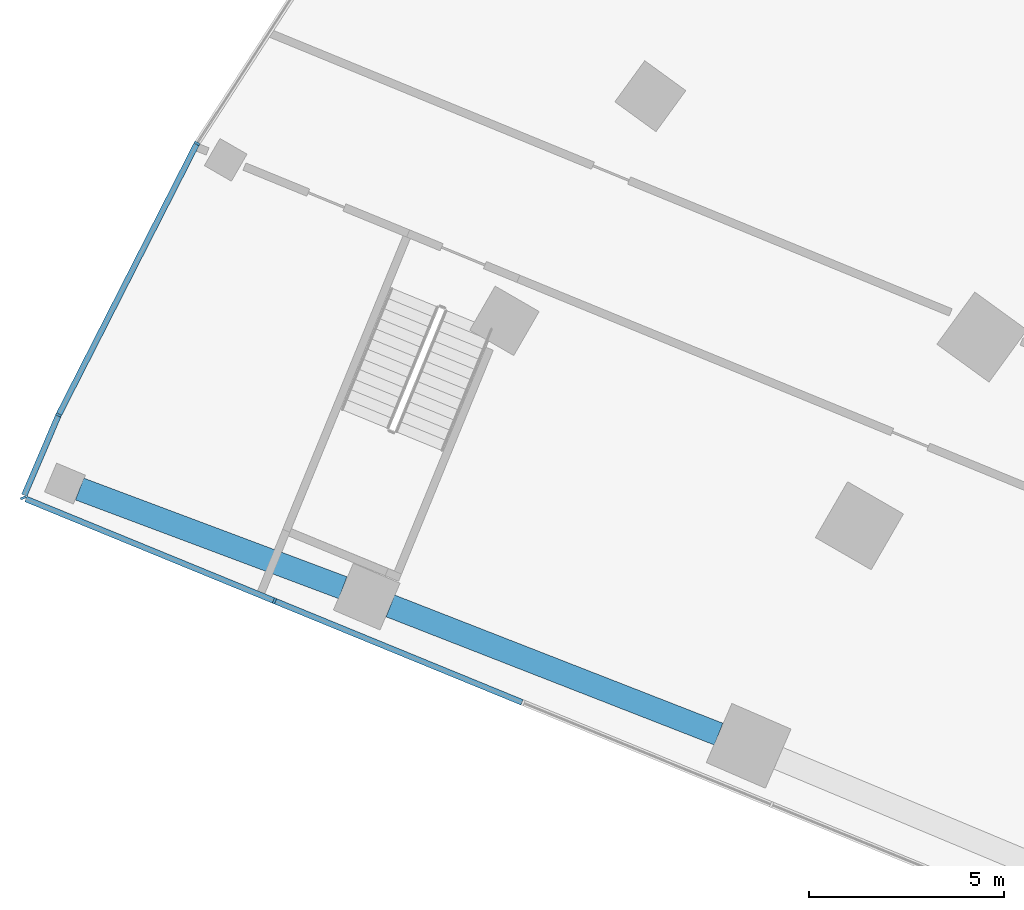
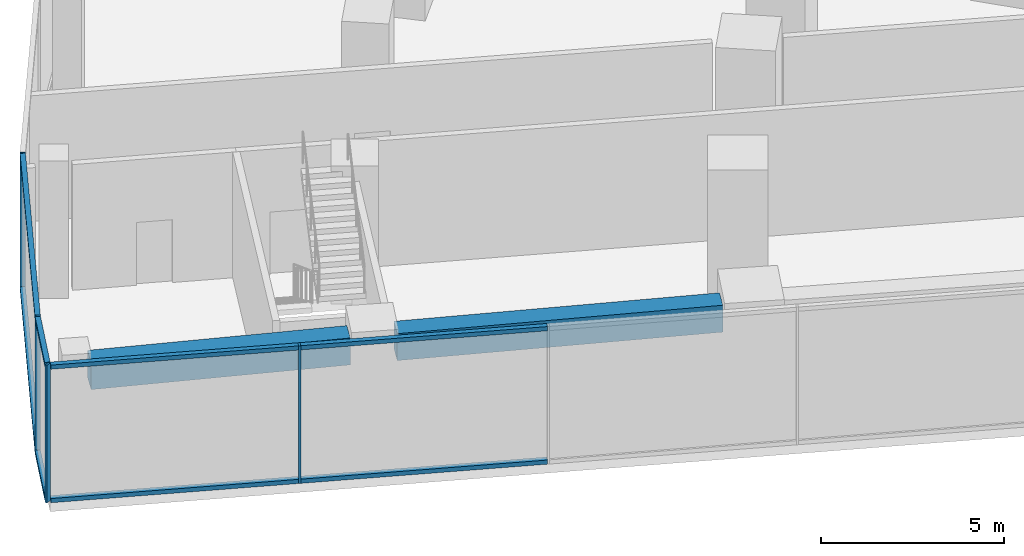
# One storey, part 3 of 40: 12 members, 2 beams, 2 elements without a shape of their own.
"""IFC4 building model written with IfcOpenShell, lengths in metres."""

from ifc_helpers import new_model, si_unit, direction, frame, origin, origin_2d, place, context, subcontext, project, spatial, rectangle, extrude, material, layer, layer_set, material_profile, profile_set, type_object, element, aggregate, save


model = new_model("IFC4")

# Units and contexts
model_context = context("Model", 3, precision=1e-05, world=origin(), true_north=direction((0.0, 1.0)))
body_context = subcontext(model_context, "Body", "Model", "MODEL_VIEW")
ifc_project = project(units=[si_unit("LENGTHUNIT", "METRE"), si_unit("AREAUNIT", "SQUARE_METRE"), si_unit("VOLUMEUNIT", "CUBIC_METRE"), si_unit("PLANEANGLEUNIT", "RADIAN"), si_unit("MASSUNIT", "GRAM", prefix="KILO")], contexts=[model_context])

# Site, building, storey
site_placement = place(None, origin())
site = spatial("IfcSite", under=ifc_project, at=site_placement, CompositionType="ELEMENT")
building_placement = place(site_placement, origin())
building = spatial("IfcBuilding", under=site, at=building_placement, Name="Stone Belt Terrace Tower", CompositionType="ELEMENT")
storey_placement = place(building_placement, frame((0.0, 0.0, 7.0)))
storey = spatial("IfcBuildingStorey", under=building, at=storey_placement, Name="L01", CompositionType="ELEMENT", Elevation=7.0)

# Curtain wall, members
ifc_material_1 = material(Name="Aluminium 6063-T6 anodised frame", Category="aluminium")
ifc_layer = layer(ifc_material_1, 0.14990234375)
ifc_layer_set = layer_set([ifc_layer], Name="CW-D podium shopfront")
curtain_wall_type = type_object("IfcCurtainWallType", Name="CW-D podium shopfront", PredefinedType="NOTDEFINED", material=ifc_layer_set)
curtain_wall_1_placement = place(storey_placement, origin())
curtain_wall_1 = element("IfcCurtainWall", 1, at=curtain_wall_1_placement, inside=storey, type_object=curtain_wall_type, Name="CW-D convex face L01", PredefinedType="NOTDEFINED")
ifc_material_profile_1 = material_profile(ifc_material_1, rectangle(XDim=0.14990234375, YDim=0.06005859375, at=origin_2d()), Name="Aluminium 6063-T6 60x150")
ifc_profile_set_1 = profile_set([ifc_material_profile_1], Name="Aluminium 6063-T6 anodised frame")
member_type_1 = type_object("IfcMemberType", Name="CW-D mullion 60 x 150", PredefinedType="MULLION", material=ifc_profile_set_1)
member_1_placement = place(storey_placement, frame((-64.583984375, 37.28759765625, 0.0), z_axis=(0.0, 0.0, 1.0), x_axis=(0.866025403784, -0.5, 0.0)))
member_1 = element("IfcMember", 2, at=member_1_placement, type_object=member_type_1, Name="CW-D mullion 23", PredefinedType="MULLION", context=body_context, shape_type="SweptSolid", body=[
    extrude(rectangle(XDim=0.14990234375, YDim=0.06005859375, at=origin_2d()), origin(), (0.0, 0.0, 1.0), 4.60009765625),
])
member_2_placement = place(storey_placement, frame((-68.127197265625, 30.333740234375, 0.0), z_axis=(0.0, 0.0, 1.0), x_axis=(0.905778201442, -0.423752108895, 0.0)))
member_2 = element("IfcMember", 3, at=member_2_placement, type_object=member_type_1, Name="CW-D mullion 24", PredefinedType="MULLION", context=body_context, shape_type="SweptSolid", body=[
    extrude(rectangle(XDim=0.14990234375, YDim=0.06005859375, at=origin_2d()), origin(), (0.0, 0.0, 1.0), 4.60009765625),
])

curtain_wall_2_placement = place(storey_placement, origin())
curtain_wall_2 = element("IfcCurtainWall", 4, at=curtain_wall_2_placement, inside=storey, type_object=curtain_wall_type, Name="CW-D end face L01", PredefinedType="NOTDEFINED")
member_3_placement = place(storey_placement, frame((-69.033447265625, 28.213134765625, 0.0), z_axis=(0.0, 0.0, 1.0), x_axis=(0.925309719849, 0.379212239192, 0.0)))
member_3 = element("IfcMember", 5, at=member_3_placement, type_object=member_type_1, Name="CW-D mullion 1", PredefinedType="MULLION", context=body_context, shape_type="SweptSolid", body=[
    extrude(rectangle(XDim=0.14990234375, YDim=0.06005859375, at=origin_2d()), origin(), (0.0, 0.0, 1.0), 4.60009765625),
])
member_4_placement = place(storey_placement, frame((-62.6015625, 25.576904296875, 0.0), z_axis=(0.0, 0.0, 1.0), x_axis=(0.379243093825, 0.925297074342, 0.0)))
member_4 = element("IfcMember", 6, at=member_4_placement, type_object=member_type_1, Name="CW-D mullion 2", PredefinedType="MULLION", context=body_context, shape_type="SweptSolid", body=[
    extrude(rectangle(XDim=0.14990234375, YDim=0.06005859375, at=origin_2d()), origin(), (0.0, 0.0, 1.0), 4.60009765625),
])

# Member
ifc_material_profile_2 = material_profile(ifc_material_1, rectangle(XDim=0.14990234375, YDim=0.139892578125, at=origin_2d()), Name="Aluminium 6063-T6 150x140")
ifc_profile_set_2 = profile_set([ifc_material_profile_2], Name="Aluminium 6063-T6 anodised frame")
member_type_2 = type_object("IfcMemberType", Name="CW-D transom 140 x 150", PredefinedType="USERDEFINED", material=ifc_profile_set_2)
member_5_placement = place(storey_placement, frame((-64.599365234375, 37.25732421875, 0.070068359375), z_axis=(-0.453977770034, -0.891013010183, 0.0), x_axis=(0.891013010183, -0.453977770034, 0.0)))
member_5 = element("IfcMember", 7, at=member_5_placement, type_object=member_type_2, Name="CW-D transom 23.1", ObjectType="TRANSOM", PredefinedType="USERDEFINED", context=body_context, shape_type="SweptSolid", body=[
    extrude(rectangle(XDim=0.14990234375, YDim=0.139892578125, at=origin_2d()), origin(), (0.0, 0.0, 1.0), 7.738037109375),
])

member_6_placement = place(storey_placement, frame((-64.599365234375, 37.25732421875, 4.530029296875), z_axis=(-0.453977770034, -0.891013010183, 0.0), x_axis=(0.891013010183, -0.453977770034, 0.0)))
member_6 = element("IfcMember", 8, at=member_6_placement, type_object=member_type_2, Name="CW-D transom 23.2", ObjectType="TRANSOM", PredefinedType="USERDEFINED", context=body_context, shape_type="SweptSolid", body=[
    extrude(rectangle(XDim=0.14990234375, YDim=0.139892578125, at=origin_2d()), origin(), (0.0, 0.0, 1.0), 7.738037109375),
])

member_7_placement = place(storey_placement, frame((-68.139892578125, 30.3037109375, 0.070068359375), z_axis=(-0.39299460879, -0.919540775312, 0.0), x_axis=(0.919540775312, -0.39299460879, 0.0)))
member_7 = element("IfcMember", 9, at=member_7_placement, type_object=member_type_2, Name="CW-D transom 24.1", ObjectType="TRANSOM", PredefinedType="USERDEFINED", context=body_context, shape_type="SweptSolid", body=[
    extrude(rectangle(XDim=0.14990234375, YDim=0.139892578125, at=origin_2d()), origin(), (0.0, 0.0, 1.0), 2.19921875),
])

member_8_placement = place(storey_placement, frame((-68.139892578125, 30.3037109375, 4.530029296875), z_axis=(-0.39299460879, -0.919540775312, 0.0), x_axis=(0.919540775312, -0.39299460879, 0.0)))
member_8 = element("IfcMember", 10, at=member_8_placement, type_object=member_type_2, Name="CW-D transom 24.2", ObjectType="TRANSOM", PredefinedType="USERDEFINED", context=body_context, shape_type="SweptSolid", body=[
    extrude(rectangle(XDim=0.14990234375, YDim=0.139892578125, at=origin_2d()), origin(), (0.0, 0.0, 1.0), 2.19921875),
])

aggregate(curtain_wall_1, [member_1, member_2, member_5, member_6, member_7, member_8])

member_9_placement = place(storey_placement, frame((-68.964599609375, 28.184814453125, 0.070068359375), z_axis=(0.92530308742, -0.379228422472, 0.0), x_axis=(0.379228422472, 0.92530308742, 0.0)))
member_9 = element("IfcMember", 11, at=member_9_placement, type_object=member_type_2, Name="CW-D transom 1.1", ObjectType="TRANSOM", PredefinedType="USERDEFINED", context=body_context, shape_type="SweptSolid", body=[
    extrude(rectangle(XDim=0.14990234375, YDim=0.139892578125, at=origin_2d()), origin(), (0.0, 0.0, 1.0), 6.8466796875),
])

member_10_placement = place(storey_placement, frame((-68.964599609375, 28.184814453125, 4.530029296875), z_axis=(0.92530308742, -0.379228422472, 0.0), x_axis=(0.379228422472, 0.92530308742, 0.0)))
member_10 = element("IfcMember", 12, at=member_10_placement, type_object=member_type_2, Name="CW-D transom 1.2", ObjectType="TRANSOM", PredefinedType="USERDEFINED", context=body_context, shape_type="SweptSolid", body=[
    extrude(rectangle(XDim=0.14990234375, YDim=0.139892578125, at=origin_2d()), origin(), (0.0, 0.0, 1.0), 6.8466796875),
])

member_11_placement = place(storey_placement, frame((-62.573974609375, 25.5654296875, 0.070068359375), z_axis=(0.925300811022, -0.37923397675, 0.0), x_axis=(0.37923397675, 0.925300811022, 0.0)))
member_11 = element("IfcMember", 13, at=member_11_placement, type_object=member_type_2, Name="CW-D transom 2.1", ObjectType="TRANSOM", PredefinedType="USERDEFINED", context=body_context, shape_type="SweptSolid", body=[
    extrude(rectangle(XDim=0.14990234375, YDim=0.139892578125, at=origin_2d()), origin(), (0.0, 0.0, 1.0), 6.81494140625),
])

member_12_placement = place(storey_placement, frame((-62.573974609375, 25.5654296875, 4.530029296875), z_axis=(0.925300811022, -0.37923397675, 0.0), x_axis=(0.37923397675, 0.925300811022, 0.0)))
member_12 = element("IfcMember", 14, at=member_12_placement, type_object=member_type_2, Name="CW-D transom 2.2", ObjectType="TRANSOM", PredefinedType="USERDEFINED", context=body_context, shape_type="SweptSolid", body=[
    extrude(rectangle(XDim=0.14990234375, YDim=0.139892578125, at=origin_2d()), origin(), (0.0, 0.0, 1.0), 6.81494140625),
])

aggregate(curtain_wall_2, [member_3, member_4, member_9, member_10, member_11, member_12])

# Beams
ifc_material_2 = material(Name="Concrete B60", Category="concrete")
ifc_material_profile_3 = material_profile(ifc_material_2, rectangle(XDim=0.60009765625, YDim=0.89990234375, at=origin_2d()), Name="RC 600x900")
ifc_profile_set_3 = profile_set([ifc_material_profile_3], Name="Concrete B60")
beam_type = type_object("IfcBeamType", Name="Edge beam RC 600x900 B60", PredefinedType="SPANDREL", material=ifc_profile_set_3)
beam_1_placement = place(storey_placement, frame((-51.235107421875, 22.167724609375, 3.75), z_axis=(-0.931488596429, 0.363770524813, 0.0), x_axis=(-0.363770524813, -0.931488596429, 0.0)))
element("IfcBeam", 15, at=beam_1_placement, inside=storey, type_object=beam_type, Name="Edge beam L01 A Q to R", PredefinedType="SPANDREL", context=body_context, shape_type="SweptSolid", body=[
    extrude(rectangle(XDim=0.60009765625, YDim=0.89990234375, at=origin_2d()), origin(), (0.0, 0.0, 1.0), 9.018798828125),
])
beam_2_placement = place(storey_placement, frame((-60.85107421875, 25.913330078125, 3.75), z_axis=(-0.936357063025, 0.351049071389, 0.0), x_axis=(-0.351049071389, -0.936357063025, 0.0)))
element("IfcBeam", 16, at=beam_2_placement, inside=storey, type_object=beam_type, Name="Edge beam L01 A R to S", PredefinedType="SPANDREL", context=body_context, shape_type="SweptSolid", body=[
    extrude(rectangle(XDim=0.60009765625, YDim=0.89990234375, at=origin_2d()), origin(), (0.0, 0.0, 1.0), 7.1953125),
])

save(model, "model.ifc")
